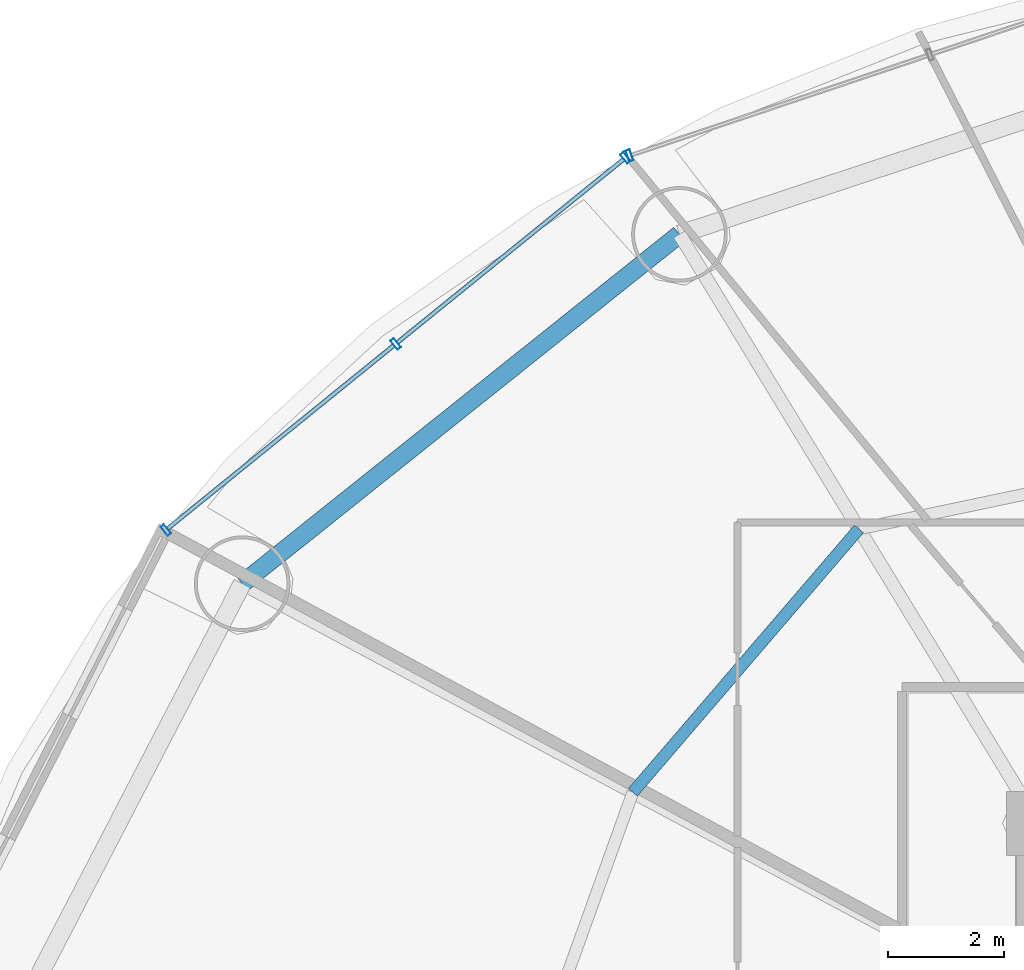
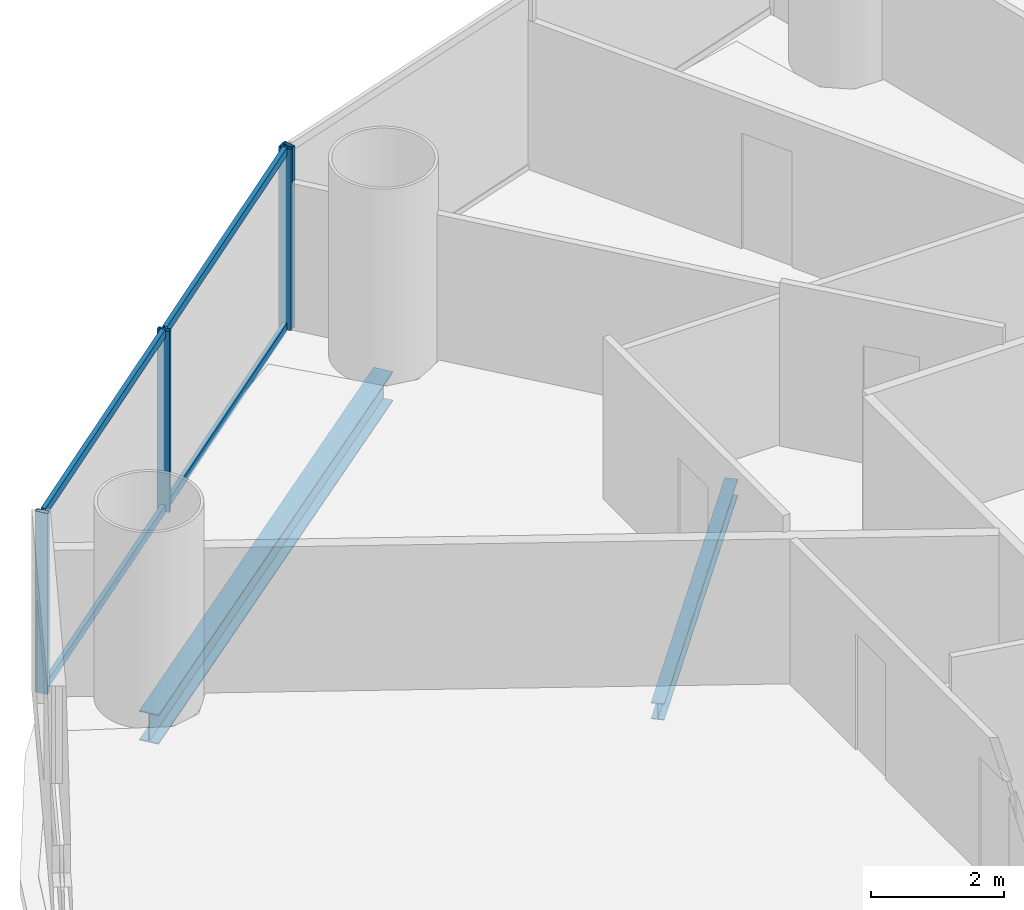
# One storey, part 15 of 29: 8 members, 2 beams, 2 elements without a shape of their own.
"""IFC4 building model written with IfcOpenShell, lengths in metres."""

from ifc_helpers import new_model, si_unit, direction, frame, origin, origin_2d, place, context, subcontext, project, spatial, hollow_rectangle, i_section, extrude, source, transform, mapped, material, material_profile, profile_set, type_object, element, aggregate, save


model = new_model("IFC4")

# Units and contexts
model_context = context("Model", 3, precision=1e-05, world=origin(), true_north=direction((-0.2419218956, 0.970295726276)))
body_context = subcontext(model_context, "Body", "Model", "MODEL_VIEW")
ifc_project = project(units=[si_unit("LENGTHUNIT", "METRE"), si_unit("AREAUNIT", "SQUARE_METRE"), si_unit("VOLUMEUNIT", "CUBIC_METRE"), si_unit("PLANEANGLEUNIT", "RADIAN"), si_unit("MASSUNIT", "GRAM", prefix="KILO")], contexts=[model_context])

# Site, building, storey
site_placement = place(None, origin())
site = spatial("IfcSite", under=ifc_project, at=site_placement, CompositionType="ELEMENT")
building_placement = place(site_placement, origin())
building = spatial("IfcBuilding", under=site, at=building_placement, Name="Cobrevalo Terracotta Tower", CompositionType="ELEMENT")
storey_placement = place(building_placement, frame((0.0, 0.0, 52.800048828125)))
storey = spatial("IfcBuildingStorey", under=building, at=storey_placement, Name="L13", CompositionType="ELEMENT", Elevation=52.800048828125)

# Beams
ifc_material_1 = material(Name="Steel S355", Category="steel")
ifc_material_profile_1 = material_profile(ifc_material_1, i_section(OverallWidth=0.2041015625, OverallDepth=0.305908203125, WebThickness=0.008544921875, FlangeThickness=0.0146484375, at=origin_2d()), Name="W 310x67")
ifc_profile_set_1 = profile_set([ifc_material_profile_1], Name="Steel S355")
beam_type_1 = type_object("IfcBeamType", Name="Structural Joist W 310x67 (Steel S355)", PredefinedType="JOIST", material=ifc_profile_set_1)
beam_1_placement = place(storey_placement, frame((25.902587890625, 39.8837890625, -0.43310546875), z_axis=(-0.651328404454, -0.758795960421, 0.0), x_axis=(0.758795960421, -0.651328404454, 0.0)))
element("IfcBeam", 1, at=beam_1_placement, inside=storey, type_object=beam_type_1, Name="L13 circumferential secondary floor joist 06", PredefinedType="JOIST", context=body_context, shape_type="SweptSolid", body=[
    extrude(i_section(OverallWidth=0.2041015625, OverallDepth=0.305908203125, WebThickness=0.008544921875, FlangeThickness=0.0146484375, at=origin_2d()), origin(), (0.0, 0.0, 1.0), 5.98828125),
])
ifc_material_profile_2 = material_profile(ifc_material_1, i_section(OverallWidth=0.31201171875, OverallDepth=0.54296875, WebThickness=0.0126953125, FlangeThickness=0.020263671875, at=origin_2d()), Name="W 530x150")
ifc_profile_set_2 = profile_set([ifc_material_profile_2], Name="Steel S355")
beam_type_2 = type_object("IfcBeamType", Name="Structural Spandrel W 530x150 (Steel S355)", PredefinedType="SPANDREL", material=ifc_profile_set_2)
beam_2_placement = place(storey_placement, frame((22.80517578125, 44.967529296875, -0.551513671875), z_axis=(-0.781292806807, -0.62416468182, 0.0), x_axis=(0.62416468182, -0.781292806807, 0.0)))
element("IfcBeam", 2, at=beam_2_placement, inside=storey, type_object=beam_type_2, Name="L13 perimeter ring spandrel 06", PredefinedType="SPANDREL", context=body_context, shape_type="SweptSolid", body=[
    extrude(i_section(OverallWidth=0.31201171875, OverallDepth=0.54296875, WebThickness=0.0126953125, FlangeThickness=0.020263671875, at=origin_2d()), origin(), (0.0, 0.0, 1.0), 9.658203125),
])

# Curtain wall, member
ifc_material_2 = material(Name="Anodized aluminium", Category="aluminium")
curtain_wall_type = type_object("IfcCurtainWallType", Name="Lower-tower unitised acoustic low-E curtain wall CW-U1", PredefinedType="NOTDEFINED", material=ifc_material_2)
curtain_wall_1_placement = place(storey_placement, origin())
curtain_wall_1 = element("IfcCurtainWall", 3, at=curtain_wall_1_placement, inside=storey, type_object=curtain_wall_type, Name="L13 curtain wall CW-L13-S05", PredefinedType="NOTDEFINED")
ifc_material_profile_3 = material_profile(ifc_material_2, hollow_rectangle(XDim=0.074951171875, YDim=0.199951171875, WallThickness=0.0048828125, at=origin_2d()), Name="CWM 75x200")
ifc_profile_set_3 = profile_set([ifc_material_profile_3], Name="Anodized aluminium")
member_type_1 = type_object("IfcMemberType", Name="Lower/mid tower unitised mullion 75x200", PredefinedType="MULLION", material=ifc_profile_set_3)
shared_shape_1 = source(origin(), body_context, "Body", "SweptSolid", [
    extrude(hollow_rectangle(XDim=0.074951171875, YDim=0.199951171875, WallThickness=0.0048828125, at=origin_2d()), origin(), (0.0, 0.0, 1.0), 3.320068359375),
])
member_1_placement = place(storey_placement, frame((21.943115234375, 46.327392578125, 0.0), z_axis=(0.0, 0.0, 1.0), x_axis=(-0.948046393597, -0.318132103987, 0.0)))
member_1 = element("IfcMember", 4, at=member_1_placement, type_object=member_type_1, Name="CW-L13-S05 vertical mullion 03", PredefinedType="MULLION", context=body_context, shape_type="MappedRepresentation", body=[
    mapped(shared_shape_1, transform((0.0, 0.0, 0.0), scale=1.0)),
])
aggregate(curtain_wall_1, [member_1])

# Curtain wall, members
curtain_wall_2_placement = place(storey_placement, origin())
curtain_wall_2 = element("IfcCurtainWall", 5, at=curtain_wall_2_placement, inside=storey, type_object=curtain_wall_type, Name="L13 curtain wall CW-L13-S06", PredefinedType="NOTDEFINED")
member_2_placement = place(storey_placement, frame((21.8740234375, 46.289306640625, 0.0), z_axis=(0.0, 0.0, 1.0), x_axis=(-0.777003153187, -0.629496703675, 0.0)))
member_2 = element("IfcMember", 6, at=member_2_placement, type_object=member_type_1, Name="CW-L13-S06 vertical mullion 01", PredefinedType="MULLION", context=body_context, shape_type="MappedRepresentation", body=[
    mapped(shared_shape_1, transform((0.0, 0.0, 0.0), scale=1.0)),
])
member_3_placement = place(storey_placement, frame((17.90869140625, 43.076904296875, 0.0), z_axis=(0.0, 0.0, 1.0), x_axis=(-0.777003153187, -0.629496703675, 0.0)))
member_3 = element("IfcMember", 7, at=member_3_placement, type_object=member_type_1, Name="CW-L13-S06 vertical mullion 02", PredefinedType="MULLION", context=body_context, shape_type="MappedRepresentation", body=[
    mapped(shared_shape_1, transform((0.0, 0.0, 0.0), scale=1.0)),
])
member_4_placement = place(storey_placement, frame((13.943359375, 39.864501953125, 0.0), z_axis=(0.0, 0.0, 1.0), x_axis=(-0.777003153187, -0.629496703675, 0.0)))
member_4 = element("IfcMember", 8, at=member_4_placement, type_object=member_type_1, Name="CW-L13-S06 vertical mullion 03", PredefinedType="MULLION", context=body_context, shape_type="MappedRepresentation", body=[
    mapped(shared_shape_1, transform((0.0, 0.0, 0.0), scale=1.0)),
])
ifc_material_profile_4 = material_profile(ifc_material_2, hollow_rectangle(XDim=0.074951171875, YDim=0.14990234375, WallThickness=0.00439453125, at=origin_2d()), Name="CWT 75x150")
ifc_profile_set_4 = profile_set([ifc_material_profile_4], Name="Anodized aluminium")
member_type_2 = type_object("IfcMemberType", Name="Tower unitised aluminium transom 75x150", PredefinedType="USERDEFINED", material=ifc_profile_set_4)
shared_shape_2 = source(origin(), body_context, "Body", "SweptSolid", [
    extrude(hollow_rectangle(XDim=0.074951171875, YDim=0.14990234375, WallThickness=0.00439453125, at=origin_2d()), origin(), (0.0, 0.0, 1.0), 5.0234375),
])
member_5_placement = place(storey_placement, frame((21.843017578125, 46.26416015625, 0.050048828125), z_axis=(-0.777022991593, -0.629472215857, 0.0), x_axis=(0.629472215857, -0.777022991593, 0.0)))
member_5 = element("IfcMember", 9, at=member_5_placement, type_object=member_type_2, Name="CW-L13-S06 transom B01-T1", ObjectType="TRANSOM", PredefinedType="USERDEFINED", context=body_context, shape_type="MappedRepresentation", body=[
    mapped(shared_shape_2, transform((0.0, 0.0, 0.0), scale=1.0)),
])
member_6_placement = place(storey_placement, frame((21.843017578125, 46.26416015625, 3.27001953125), z_axis=(-0.777022991593, -0.629472215857, 0.0), x_axis=(0.629472215857, -0.777022991593, 0.0)))
member_6 = element("IfcMember", 10, at=member_6_placement, type_object=member_type_2, Name="CW-L13-S06 transom B01-T2", ObjectType="TRANSOM", PredefinedType="USERDEFINED", context=body_context, shape_type="MappedRepresentation", body=[
    mapped(shared_shape_2, transform((0.0, 0.0, 0.0), scale=1.0)),
])
member_7_placement = place(storey_placement, frame((17.877685546875, 43.0517578125, 0.050048828125), z_axis=(-0.777022991593, -0.629472215857, 0.0), x_axis=(0.629472215857, -0.777022991593, 0.0)))
member_7 = element("IfcMember", 11, at=member_7_placement, type_object=member_type_2, Name="CW-L13-S06 transom B02-T1", ObjectType="TRANSOM", PredefinedType="USERDEFINED", context=body_context, shape_type="MappedRepresentation", body=[
    mapped(shared_shape_2, transform((0.0, 0.0, 0.0), scale=1.0)),
])
member_8_placement = place(storey_placement, frame((17.877685546875, 43.0517578125, 3.27001953125), z_axis=(-0.777022991593, -0.629472215857, 0.0), x_axis=(0.629472215857, -0.777022991593, 0.0)))
member_8 = element("IfcMember", 12, at=member_8_placement, type_object=member_type_2, Name="CW-L13-S06 transom B02-T2", ObjectType="TRANSOM", PredefinedType="USERDEFINED", context=body_context, shape_type="MappedRepresentation", body=[
    mapped(shared_shape_2, transform((0.0, 0.0, 0.0), scale=1.0)),
])
aggregate(curtain_wall_2, [member_2, member_3, member_4, member_5, member_6, member_7, member_8])

save(model, "model.ifc")
